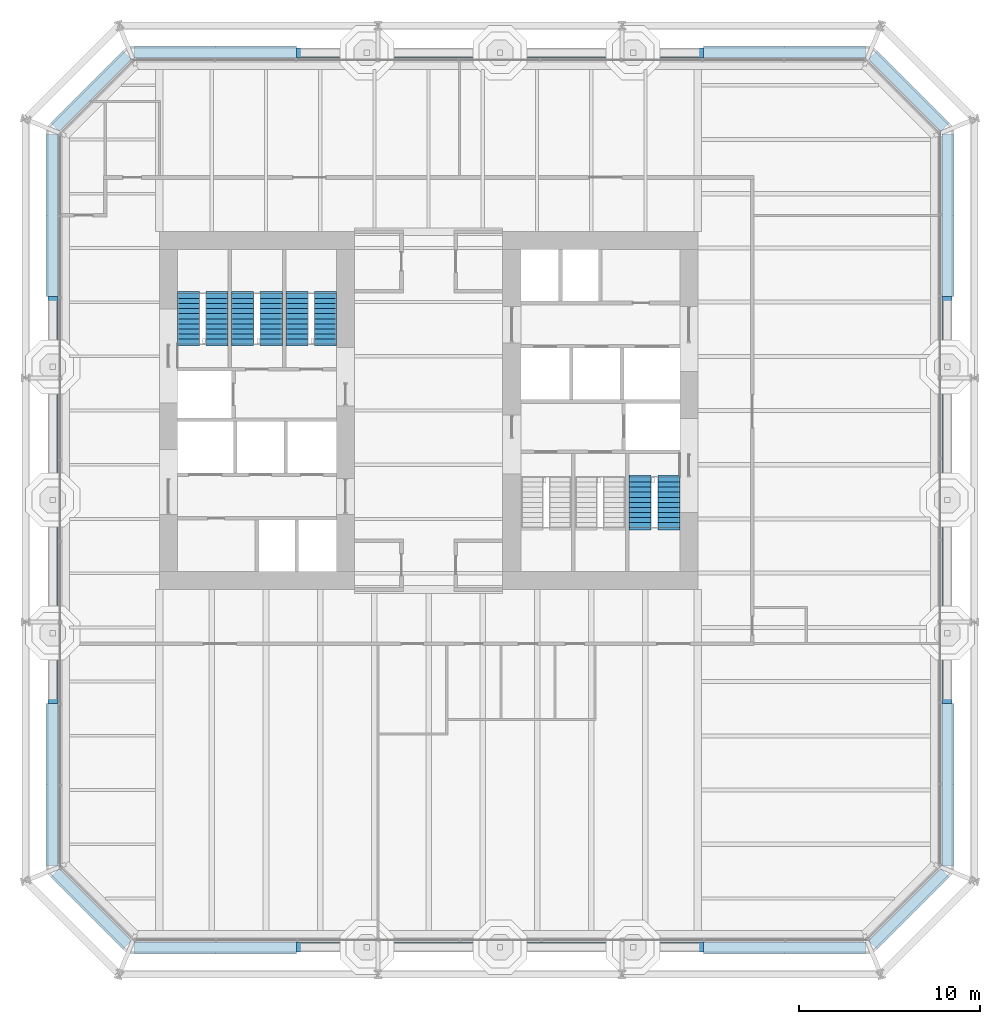
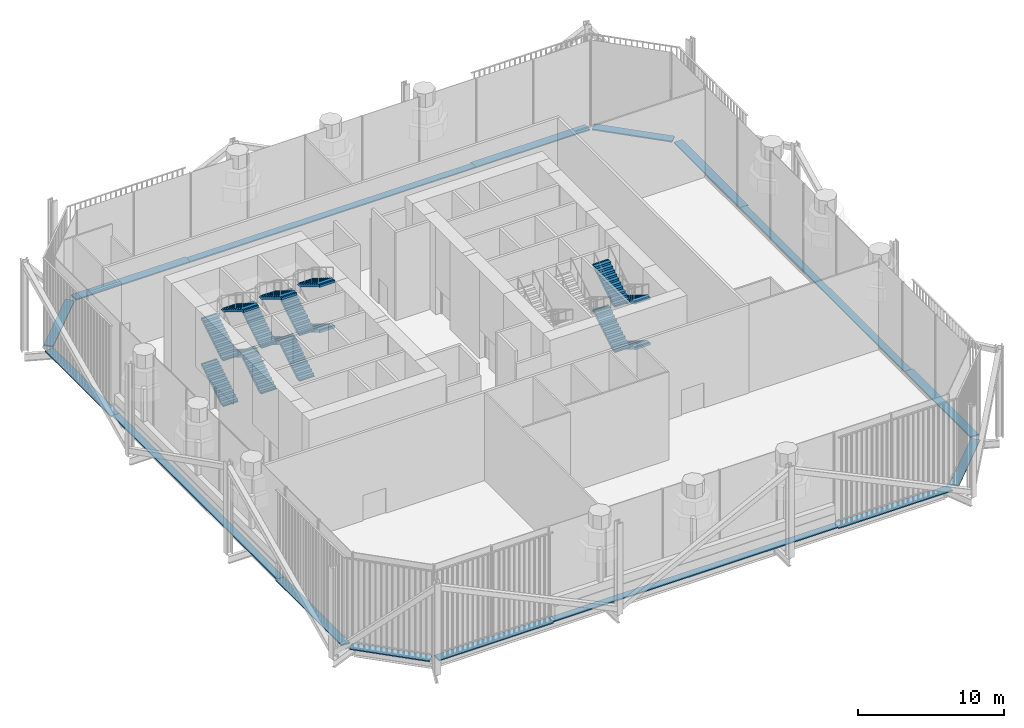
# One storey, part 15 of 18: 16 discrete accessories, 16 stair flights, 4 elements without a shape of their own.
"""IFC4 building model written with IfcOpenShell, lengths in metres."""

import ifcopenshell
import ifcopenshell.guid

model = None  # the IFC model being written
_history = None  # IfcOwnerHistory: only IFC2X3 demands one
_inside = {}  # id of a spatial element -> (the spatial element, [elements in it])
_under = {}  # id of a project, library or spatial element -> (it, [spatial elements below it])
_declared = {}  # id of a project -> (the project, [libraries it declares])
_typed = {}  # id of a type object -> (the type object, [elements of that type])
_made_of = {}  # id of a material, layer set ... -> (it, [elements and type objects made of it])


def new_model(schema):
    """Start an empty IFC model of exactly this schema.

    Asked for "IFC4X3", IfcOpenShell would pick the latest addendum, in which some entities
    have other attributes; the version numbers below select the first issue.
    IFC2X3 requires an IfcOwnerHistory on every rooted entity: one is made here for all.
    """
    global model, _history
    if schema == "IFC4X3":
        model = ifcopenshell.file(schema_version=(4, 3, 0, 0))
    else:
        model = ifcopenshell.file(schema=schema)
    _inside.clear()
    _under.clear()
    _declared.clear()
    _typed.clear()
    _made_of.clear()
    _history = None
    if model.schema == "IFC2X3":
        org = make("IfcOrganization", Name="unknown")
        user = make(
            "IfcPersonAndOrganization",
            ThePerson=make("IfcPerson", FamilyName="unknown"),
            TheOrganization=org,
        )
        app = make(
            "IfcApplication",
            ApplicationDeveloper=org,
            Version="unknown",
            ApplicationFullName="unknown",
            ApplicationIdentifier="unknown",
        )
        _history = make(
            "IfcOwnerHistory",
            OwningUser=user,
            OwningApplication=app,
            ChangeAction="ADDED",
            CreationDate=0,
        )
    return model


def make(cls, **values):
    """One entity of the class cls with the attributes given. An attribute that is None is left unset."""
    return model.create_entity(
        cls, **{name: value for name, value in values.items() if value is not None}
    )


def rooted(cls, **values):
    """An entity with a GlobalId (a new one), such as an element, a storey or a relation."""
    return make(cls, GlobalId=ifcopenshell.guid.new(), OwnerHistory=_history, **values)


def si_unit(unit_type, name, prefix=None):
    """IfcSIUnit, for example si_unit("LENGTHUNIT", "METRE", prefix="MILLI")."""
    return make("IfcSIUnit", UnitType=unit_type, Prefix=prefix, Name=name)


def assignment(units):
    """IfcUnitAssignment: the units of a project."""
    return None if units is None else make("IfcUnitAssignment", Units=units)


def point(xyz):
    """IfcCartesianPoint."""
    return None if xyz is None else make("IfcCartesianPoint", Coordinates=xyz)


def direction(xyz):
    """IfcDirection."""
    return None if xyz is None else make("IfcDirection", DirectionRatios=xyz)


def frame(location, z_axis=None, x_axis=None):
    """IfcAxis2Placement3D, a coordinate frame: its origin and axes. An axis left out is left unset."""
    return make(
        "IfcAxis2Placement3D",
        Location=point(location),
        Axis=direction(z_axis),
        RefDirection=direction(x_axis),
    )


def frame_2d(location, x_axis=None):
    """IfcAxis2Placement2D, a coordinate frame in the plane: its origin and x axis."""
    return make(
        "IfcAxis2Placement2D", Location=point(location), RefDirection=direction(x_axis)
    )


def origin():
    """The frame at (0, 0, 0) with its axes left unset."""
    return frame((0.0, 0.0, 0.0))


def origin_2d():
    """The frame at (0, 0) in the plane with its x axis left unset."""
    return frame_2d((0.0, 0.0))


def place(relative_to, where):
    """IfcLocalPlacement: puts the frame where relative to a parent placement (None: the world)."""
    return make(
        "IfcLocalPlacement", PlacementRelTo=relative_to, RelativePlacement=where
    )


def context(
    kind, dimensions, precision=None, world=None, true_north=None, identifier=None
):
    """IfcGeometricRepresentationContext, for example the 3D "Model" context."""
    return make(
        "IfcGeometricRepresentationContext",
        ContextIdentifier=identifier,
        ContextType=kind,
        CoordinateSpaceDimension=dimensions,
        Precision=precision,
        WorldCoordinateSystem=world,
        TrueNorth=true_north,
    )


def subcontext(parent, identifier, kind, view, scale=None):
    """IfcGeometricRepresentationSubContext, for example "Body" below "Model"."""
    return make(
        "IfcGeometricRepresentationSubContext",
        ContextIdentifier=identifier,
        ContextType=kind,
        ParentContext=parent,
        TargetScale=scale,
        TargetView=view,
    )


def project(units=None, contexts=None):
    """IfcProject with its units and contexts."""
    return rooted(
        "IfcProject",
        Name="project",
        RepresentationContexts=contexts,
        UnitsInContext=assignment(units),
    )


def spatial(cls, under=None, at=None, **own):
    """A site, building, storey or space (cls), placed at a placement, below another one or the project."""
    s = rooted(cls, ObjectPlacement=at, **own)
    if under is not None:
        _under.setdefault(under.id(), (under, []))[1].append(s)
    return s


def polyline(points):
    """IfcPolyline through the points."""
    return make("IfcPolyline", Points=[point(p) for p in points])


def profile(cls, at=None, kind="AREA", **sizes):
    """A parametric profile (cls). Its sizes go by their IFC names, for example OverallWidth=200.0."""
    return make(cls, ProfileType=kind, Position=at, **sizes)


def rectangle(**sizes):
    """IfcRectangleProfileDef."""
    return profile("IfcRectangleProfileDef", **sizes)


def outline(outer, holes=None, kind="AREA"):
    """IfcArbitraryClosedProfileDef: a profile drawn as a closed curve; with holes, ...WithVoids."""
    if holes is None:
        return make("IfcArbitraryClosedProfileDef", ProfileType=kind, OuterCurve=outer)
    return make(
        "IfcArbitraryProfileDefWithVoids",
        ProfileType=kind,
        OuterCurve=outer,
        InnerCurves=holes,
    )


def extrude(swept, where, along, depth):
    """IfcExtrudedAreaSolid: the profile swept, set in the frame where, extruded along a direction by depth."""
    return make(
        "IfcExtrudedAreaSolid",
        SweptArea=swept,
        Position=where,
        ExtrudedDirection=direction(along),
        Depth=depth,
    )


def shape(context_of_items, identifier, shape_type, items):
    """IfcShapeRepresentation: the items that make up one representation, for example the "Body"."""
    return make(
        "IfcShapeRepresentation",
        ContextOfItems=context_of_items,
        RepresentationIdentifier=identifier,
        RepresentationType=shape_type,
        Items=items,
    )


def material(Name=None, Category=None):
    """IfcMaterial."""
    return make("IfcMaterial", Name=Name, Category=Category)


def made_of(thing, what):
    """Note that an element or type object is made of a material, layer set ...; save() writes the relation."""
    if what is not None:
        _made_of.setdefault(what.id(), (what, []))[1].append(thing)
    return thing


def type_object(cls, material=None, **own):
    """A type object (cls), such as IfcWallType, which elements share."""
    return made_of(rooted(cls, **own), material)


def element(
    cls,
    number,
    at=None,
    inside=None,
    cuts=None,
    type_object=None,
    material=None,
    context=None,
    identifier="Body",
    shape_type=None,
    held_by="IfcProductDefinitionShape",
    body=None,
    shapes=None,
    **own,
):
    """One element of the class cls, such as IfcWall. Its Tag is "e" and its number.

    at: its placement. inside: the storey or other place that contains it. cuts: it is an
    opening in that element (IfcRelVoidsElement). A single representation is given by context,
    identifier, shape_type and body (its items); several are given by shapes. held_by: the class
    of the entity that holds the representations. save() writes the other relations.
    """
    e = rooted(cls, Tag="e%d" % number, ObjectPlacement=at, **own)
    if body is not None:
        shapes = [shape(context, identifier, shape_type, body)]
    if shapes is not None:
        e.Representation = make(held_by, Representations=shapes)
    if inside is not None:
        _inside.setdefault(inside.id(), (inside, []))[1].append(e)
    if cuts is not None:
        rooted(
            "IfcRelVoidsElement", RelatingBuildingElement=cuts, RelatedOpeningElement=e
        )
    if type_object is not None:
        _typed.setdefault(type_object.id(), (type_object, []))[1].append(e)
    return made_of(e, material)


def aggregate(whole, parts):
    """IfcRelAggregates: a whole, such as a stair, and the parts it consists of."""
    return rooted("IfcRelAggregates", RelatingObject=whole, RelatedObjects=parts)


def save(model, path):
    """Write the relations noted so far, then the file.

    IfcRelAggregates (storeys below a building ...), IfcRelContainedInSpatialStructure (elements
    in a storey), IfcRelDefinesByType, IfcRelAssociatesMaterial and IfcRelDeclares: one each for
    every whole, place, type object, material and project.
    """
    for whole, parts in _under.values():
        aggregate(whole, parts)
    for where, things in _inside.values():
        rooted(
            "IfcRelContainedInSpatialStructure",
            RelatedElements=things,
            RelatingStructure=where,
        )
    for kind, things in _typed.values():
        rooted("IfcRelDefinesByType", RelatedObjects=things, RelatingType=kind)
    for what, things in _made_of.values():
        rooted("IfcRelAssociatesMaterial", RelatedObjects=things, RelatingMaterial=what)
    for by, libraries in _declared.values():
        rooted("IfcRelDeclares", RelatingContext=by, RelatedDefinitions=libraries)
    model.write(path)


model = new_model("IFC4")

# Units and contexts
model_context = context("Model", 3, precision=1e-05, world=origin(), true_north=direction((0.0, 1.0)))
body_context = subcontext(model_context, "Body", "Model", "MODEL_VIEW")
ifc_project = project(units=[si_unit("LENGTHUNIT", "METRE"), si_unit("AREAUNIT", "SQUARE_METRE"), si_unit("VOLUMEUNIT", "CUBIC_METRE"), si_unit("PLANEANGLEUNIT", "RADIAN"), si_unit("MASSUNIT", "GRAM", prefix="KILO")], contexts=[model_context])

# Site, building, storey
site_placement = place(None, origin())
site = spatial("IfcSite", under=ifc_project, at=site_placement, CompositionType="ELEMENT")
building_placement = place(site_placement, origin())
building = spatial("IfcBuilding", under=site, at=building_placement, Name="Millrace Tower", CompositionType="ELEMENT")
storey_placement = place(building_placement, frame((0.0, 0.0, 112.800048828125)))
storey = spatial("IfcBuildingStorey", under=building, at=storey_placement, Name="L25", CompositionType="ELEMENT", Elevation=112.800048828125)

# Stair, stair flights
ifc_material_1 = material(Name="Concrete C35", Category="concrete")
stair_type = type_object("IfcStairType", Name="Exit stair", PredefinedType="HALF_TURN_STAIR", material=ifc_material_1)
placement = place(storey_placement, origin())
stair_1 = element("IfcStair", 1, at=placement, inside=storey, type_object=stair_type, Name="Stair 1 W L25", PredefinedType="HALF_TURN_STAIR")
ifc_material_2 = material(Name="Concrete C35", Category="concrete")
stair_flight_type = type_object("IfcStairFlightType", Name="Exit stair flight", PredefinedType="STRAIGHT", material=ifc_material_2)
stair_flight_1_placement = place(storey_placement, frame((-13.2900390625, 3.679931640625, 0.0), z_axis=(0.0, 0.0, 1.0), x_axis=(0.0, 1.0, 0.0)))
stair_flight_1 = element("IfcStairFlight", 2, at=stair_flight_1_placement, type_object=stair_flight_type, Name="ST12 flight 1", NumberOfRisers=11, NumberOfTreads=10, PredefinedType="STRAIGHT", RiserHeight=0.172727273, TreadLength=0.28, context=body_context, shape_type="SweptSolid", body=[
    extrude(outline(polyline([(-0.1201171875, -0.0400390625), (-0.1201171875, 0.0), (0.0, 0.0), (0.0, 0.172607421875), (0.280029296875, 0.172607421875), (0.280029296875, 0.345458984375), (0.56005859375, 0.345458984375), (0.56005859375, 0.51806640625), (0.840087890625, 0.51806640625), (0.840087890625, 0.69091796875), (1.1201171875, 0.69091796875), (1.1201171875, 0.863525390625), (1.39990234375, 0.863525390625), (1.39990234375, 1.036376953125), (1.679931640625, 1.036376953125), (1.679931640625, 1.208984375), (1.9599609375, 1.208984375), (1.9599609375, 1.3818359375), (2.239990234375, 1.3818359375), (2.239990234375, 1.554443359375), (2.52001953125, 1.554443359375), (2.52001953125, 1.727294921875), (2.800048828125, 1.727294921875), (2.800048828125, 1.747314453125), (2.919921875, 1.747314453125), (2.919921875, 1.551025390625), (2.800048828125, 1.551025390625), (0.285400390625, 0.0), (0.285400390625, -0.0400390625), (-0.1201171875, -0.0400390625)])), frame((0.0, 0.60986328125, 0.0), z_axis=(0.0, -1.0, 0.0), x_axis=(1.0, 0.0, 0.0)), (0.0, 0.0, 1.0), 1.219970703125),
])
stair_flight_2_placement = place(storey_placement, frame((-11.7099609375, 6.47998046875, 1.89990234375), z_axis=(0.0, 0.0, 1.0), x_axis=(0.0, -1.0, 0.0)))
stair_flight_2 = element("IfcStairFlight", 3, at=stair_flight_2_placement, type_object=stair_flight_type, Name="ST12 flight 2", NumberOfRisers=11, NumberOfTreads=10, PredefinedType="STRAIGHT", RiserHeight=0.172727273, TreadLength=0.28, context=body_context, shape_type="SweptSolid", body=[
    extrude(outline(polyline([(-0.1201171875, -0.0400390625), (-0.1201171875, 0.0), (0.0, 0.0), (0.0, 0.172607421875), (0.280029296875, 0.172607421875), (0.280029296875, 0.345458984375), (0.56005859375, 0.345458984375), (0.56005859375, 0.51806640625), (0.840087890625, 0.51806640625), (0.840087890625, 0.69091796875), (1.1201171875, 0.69091796875), (1.1201171875, 0.863525390625), (1.39990234375, 0.863525390625), (1.39990234375, 1.036376953125), (1.679931640625, 1.036376953125), (1.679931640625, 1.208984375), (1.9599609375, 1.208984375), (1.9599609375, 1.3818359375), (2.239990234375, 1.3818359375), (2.239990234375, 1.554443359375), (2.52001953125, 1.554443359375), (2.52001953125, 1.727294921875), (2.800048828125, 1.727294921875), (2.800048828125, 1.747314453125), (2.919921875, 1.747314453125), (2.919921875, 1.551025390625), (2.800048828125, 1.551025390625), (0.285400390625, 0.0), (0.285400390625, -0.0400390625), (-0.1201171875, -0.0400390625)])), frame((0.0, 0.60986328125, 0.0), z_axis=(0.0, -1.0, 0.0), x_axis=(1.0, 0.0, 0.0)), (0.0, 0.0, 1.0), 1.219970703125),
])
stair_flight_3_placement = place(storey_placement, frame((-13.2900390625, 3.679931640625, 3.800048828125), z_axis=(0.0, 0.0, 1.0), x_axis=(0.0, 1.0, 0.0)))
stair_flight_3 = element("IfcStairFlight", 4, at=stair_flight_3_placement, type_object=stair_flight_type, Name="ST12 flight 3", NumberOfRisers=11, NumberOfTreads=10, PredefinedType="STRAIGHT", RiserHeight=0.172727273, TreadLength=0.28, context=body_context, shape_type="SweptSolid", body=[
    extrude(outline(polyline([(-0.1201171875, -0.0400390625), (-0.1201171875, 0.0), (0.0, 0.0), (0.0, 0.172607421875), (0.280029296875, 0.172607421875), (0.280029296875, 0.345458984375), (0.56005859375, 0.345458984375), (0.56005859375, 0.51806640625), (0.840087890625, 0.51806640625), (0.840087890625, 0.69091796875), (1.1201171875, 0.69091796875), (1.1201171875, 0.863525390625), (1.39990234375, 0.863525390625), (1.39990234375, 1.036376953125), (1.679931640625, 1.036376953125), (1.679931640625, 1.208984375), (1.9599609375, 1.208984375), (1.9599609375, 1.3818359375), (2.239990234375, 1.3818359375), (2.239990234375, 1.554443359375), (2.52001953125, 1.554443359375), (2.52001953125, 1.727294921875), (2.800048828125, 1.727294921875), (2.800048828125, 1.747314453125), (2.919921875, 1.747314453125), (2.919921875, 1.551025390625), (2.800048828125, 1.551025390625), (0.285400390625, 0.0), (0.285400390625, -0.0400390625), (-0.1201171875, -0.0400390625)])), frame((0.0, 0.60986328125, 0.0), z_axis=(0.0, -1.0, 0.0), x_axis=(1.0, 0.0, 0.0)), (0.0, 0.0, 1.0), 1.219970703125),
])
stair_flight_4_placement = place(storey_placement, frame((-11.7099609375, 6.47998046875, 5.699951171875), z_axis=(0.0, 0.0, 1.0), x_axis=(0.0, -1.0, 0.0)))
stair_flight_4 = element("IfcStairFlight", 5, at=stair_flight_4_placement, type_object=stair_flight_type, Name="ST12 flight 4", NumberOfRisers=11, NumberOfTreads=10, PredefinedType="STRAIGHT", RiserHeight=0.172727273, TreadLength=0.28, context=body_context, shape_type="SweptSolid", body=[
    extrude(outline(polyline([(-0.1201171875, -0.0400390625), (-0.1201171875, 0.0), (0.0, 0.0), (0.0, 0.172607421875), (0.280029296875, 0.172607421875), (0.280029296875, 0.345458984375), (0.56005859375, 0.345458984375), (0.56005859375, 0.51806640625), (0.840087890625, 0.51806640625), (0.840087890625, 0.69091796875), (1.1201171875, 0.69091796875), (1.1201171875, 0.863525390625), (1.39990234375, 0.863525390625), (1.39990234375, 1.036376953125), (1.679931640625, 1.036376953125), (1.679931640625, 1.208984375), (1.9599609375, 1.208984375), (1.9599609375, 1.3818359375), (2.239990234375, 1.3818359375), (2.239990234375, 1.554443359375), (2.52001953125, 1.554443359375), (2.52001953125, 1.727294921875), (2.800048828125, 1.727294921875), (2.800048828125, 1.747314453125), (2.919921875, 1.747314453125), (2.919921875, 1.551025390625), (2.800048828125, 1.551025390625), (0.285400390625, 0.0), (0.285400390625, -0.0400390625), (-0.1201171875, -0.0400390625)])), frame((0.0, 0.60986328125, 0.0), z_axis=(0.0, -1.0, 0.0), x_axis=(1.0, 0.0, 0.0)), (0.0, 0.0, 1.0), 1.219970703125),
])
aggregate(stair_1, [stair_flight_1, stair_flight_2, stair_flight_3, stair_flight_4])

stair_2 = element("IfcStair", 6, at=placement, inside=storey, type_object=stair_type, Name="Stair 2 W L25", PredefinedType="HALF_TURN_STAIR")
stair_flight_5_placement = place(storey_placement, frame((-10.2900390625, 3.679931640625, 0.0), z_axis=(0.0, 0.0, 1.0), x_axis=(0.0, 1.0, 0.0)))
stair_flight_5 = element("IfcStairFlight", 7, at=stair_flight_5_placement, type_object=stair_flight_type, Name="ST12 flight 1", NumberOfRisers=11, NumberOfTreads=10, PredefinedType="STRAIGHT", RiserHeight=0.172727273, TreadLength=0.28, context=body_context, shape_type="SweptSolid", body=[
    extrude(outline(polyline([(-0.1201171875, -0.0400390625), (-0.1201171875, 0.0), (0.0, 0.0), (0.0, 0.172607421875), (0.280029296875, 0.172607421875), (0.280029296875, 0.345458984375), (0.56005859375, 0.345458984375), (0.56005859375, 0.51806640625), (0.840087890625, 0.51806640625), (0.840087890625, 0.69091796875), (1.1201171875, 0.69091796875), (1.1201171875, 0.863525390625), (1.39990234375, 0.863525390625), (1.39990234375, 1.036376953125), (1.679931640625, 1.036376953125), (1.679931640625, 1.208984375), (1.9599609375, 1.208984375), (1.9599609375, 1.3818359375), (2.239990234375, 1.3818359375), (2.239990234375, 1.554443359375), (2.52001953125, 1.554443359375), (2.52001953125, 1.727294921875), (2.800048828125, 1.727294921875), (2.800048828125, 1.747314453125), (2.919921875, 1.747314453125), (2.919921875, 1.551025390625), (2.800048828125, 1.551025390625), (0.285400390625, 0.0), (0.285400390625, -0.0400390625), (-0.1201171875, -0.0400390625)])), frame((0.0, 0.60986328125, 0.0), z_axis=(0.0, -1.0, 0.0), x_axis=(1.0, 0.0, 0.0)), (0.0, 0.0, 1.0), 1.219970703125),
])
stair_flight_6_placement = place(storey_placement, frame((-8.7099609375, 6.47998046875, 1.89990234375), z_axis=(0.0, 0.0, 1.0), x_axis=(0.0, -1.0, 0.0)))
stair_flight_6 = element("IfcStairFlight", 8, at=stair_flight_6_placement, type_object=stair_flight_type, Name="ST12 flight 2", NumberOfRisers=11, NumberOfTreads=10, PredefinedType="STRAIGHT", RiserHeight=0.172727273, TreadLength=0.28, context=body_context, shape_type="SweptSolid", body=[
    extrude(outline(polyline([(-0.1201171875, -0.0400390625), (-0.1201171875, 0.0), (0.0, 0.0), (0.0, 0.172607421875), (0.280029296875, 0.172607421875), (0.280029296875, 0.345458984375), (0.56005859375, 0.345458984375), (0.56005859375, 0.51806640625), (0.840087890625, 0.51806640625), (0.840087890625, 0.69091796875), (1.1201171875, 0.69091796875), (1.1201171875, 0.863525390625), (1.39990234375, 0.863525390625), (1.39990234375, 1.036376953125), (1.679931640625, 1.036376953125), (1.679931640625, 1.208984375), (1.9599609375, 1.208984375), (1.9599609375, 1.3818359375), (2.239990234375, 1.3818359375), (2.239990234375, 1.554443359375), (2.52001953125, 1.554443359375), (2.52001953125, 1.727294921875), (2.800048828125, 1.727294921875), (2.800048828125, 1.747314453125), (2.919921875, 1.747314453125), (2.919921875, 1.551025390625), (2.800048828125, 1.551025390625), (0.285400390625, 0.0), (0.285400390625, -0.0400390625), (-0.1201171875, -0.0400390625)])), frame((0.0, 0.60986328125, 0.0), z_axis=(0.0, -1.0, 0.0), x_axis=(1.0, 0.0, 0.0)), (0.0, 0.0, 1.0), 1.219970703125),
])
stair_flight_7_placement = place(storey_placement, frame((-10.2900390625, 3.679931640625, 3.800048828125), z_axis=(0.0, 0.0, 1.0), x_axis=(0.0, 1.0, 0.0)))
stair_flight_7 = element("IfcStairFlight", 9, at=stair_flight_7_placement, type_object=stair_flight_type, Name="ST12 flight 3", NumberOfRisers=11, NumberOfTreads=10, PredefinedType="STRAIGHT", RiserHeight=0.172727273, TreadLength=0.28, context=body_context, shape_type="SweptSolid", body=[
    extrude(outline(polyline([(-0.1201171875, -0.0400390625), (-0.1201171875, 0.0), (0.0, 0.0), (0.0, 0.172607421875), (0.280029296875, 0.172607421875), (0.280029296875, 0.345458984375), (0.56005859375, 0.345458984375), (0.56005859375, 0.51806640625), (0.840087890625, 0.51806640625), (0.840087890625, 0.69091796875), (1.1201171875, 0.69091796875), (1.1201171875, 0.863525390625), (1.39990234375, 0.863525390625), (1.39990234375, 1.036376953125), (1.679931640625, 1.036376953125), (1.679931640625, 1.208984375), (1.9599609375, 1.208984375), (1.9599609375, 1.3818359375), (2.239990234375, 1.3818359375), (2.239990234375, 1.554443359375), (2.52001953125, 1.554443359375), (2.52001953125, 1.727294921875), (2.800048828125, 1.727294921875), (2.800048828125, 1.747314453125), (2.919921875, 1.747314453125), (2.919921875, 1.551025390625), (2.800048828125, 1.551025390625), (0.285400390625, 0.0), (0.285400390625, -0.0400390625), (-0.1201171875, -0.0400390625)])), frame((0.0, 0.60986328125, 0.0), z_axis=(0.0, -1.0, 0.0), x_axis=(1.0, 0.0, 0.0)), (0.0, 0.0, 1.0), 1.219970703125),
])
stair_flight_8_placement = place(storey_placement, frame((-8.7099609375, 6.47998046875, 5.699951171875), z_axis=(0.0, 0.0, 1.0), x_axis=(0.0, -1.0, 0.0)))
stair_flight_8 = element("IfcStairFlight", 10, at=stair_flight_8_placement, type_object=stair_flight_type, Name="ST12 flight 4", NumberOfRisers=11, NumberOfTreads=10, PredefinedType="STRAIGHT", RiserHeight=0.172727273, TreadLength=0.28, context=body_context, shape_type="SweptSolid", body=[
    extrude(outline(polyline([(-0.1201171875, -0.0400390625), (-0.1201171875, 0.0), (0.0, 0.0), (0.0, 0.172607421875), (0.280029296875, 0.172607421875), (0.280029296875, 0.345458984375), (0.56005859375, 0.345458984375), (0.56005859375, 0.51806640625), (0.840087890625, 0.51806640625), (0.840087890625, 0.69091796875), (1.1201171875, 0.69091796875), (1.1201171875, 0.863525390625), (1.39990234375, 0.863525390625), (1.39990234375, 1.036376953125), (1.679931640625, 1.036376953125), (1.679931640625, 1.208984375), (1.9599609375, 1.208984375), (1.9599609375, 1.3818359375), (2.239990234375, 1.3818359375), (2.239990234375, 1.554443359375), (2.52001953125, 1.554443359375), (2.52001953125, 1.727294921875), (2.800048828125, 1.727294921875), (2.800048828125, 1.747314453125), (2.919921875, 1.747314453125), (2.919921875, 1.551025390625), (2.800048828125, 1.551025390625), (0.285400390625, 0.0), (0.285400390625, -0.0400390625), (-0.1201171875, -0.0400390625)])), frame((0.0, 0.60986328125, 0.0), z_axis=(0.0, -1.0, 0.0), x_axis=(1.0, 0.0, 0.0)), (0.0, 0.0, 1.0), 1.219970703125),
])
aggregate(stair_2, [stair_flight_5, stair_flight_6, stair_flight_7, stair_flight_8])

stair_3 = element("IfcStair", 11, at=placement, inside=storey, type_object=stair_type, Name="Stair 3 W L25", PredefinedType="HALF_TURN_STAIR")
stair_flight_9_placement = place(storey_placement, frame((-7.2900390625, 3.679931640625, 0.0), z_axis=(0.0, 0.0, 1.0), x_axis=(0.0, 1.0, 0.0)))
stair_flight_9 = element("IfcStairFlight", 12, at=stair_flight_9_placement, type_object=stair_flight_type, Name="ST12 flight 1", NumberOfRisers=11, NumberOfTreads=10, PredefinedType="STRAIGHT", RiserHeight=0.172727273, TreadLength=0.28, context=body_context, shape_type="SweptSolid", body=[
    extrude(outline(polyline([(-0.1201171875, -0.0400390625), (-0.1201171875, 0.0), (0.0, 0.0), (0.0, 0.172607421875), (0.280029296875, 0.172607421875), (0.280029296875, 0.345458984375), (0.56005859375, 0.345458984375), (0.56005859375, 0.51806640625), (0.840087890625, 0.51806640625), (0.840087890625, 0.69091796875), (1.1201171875, 0.69091796875), (1.1201171875, 0.863525390625), (1.39990234375, 0.863525390625), (1.39990234375, 1.036376953125), (1.679931640625, 1.036376953125), (1.679931640625, 1.208984375), (1.9599609375, 1.208984375), (1.9599609375, 1.3818359375), (2.239990234375, 1.3818359375), (2.239990234375, 1.554443359375), (2.52001953125, 1.554443359375), (2.52001953125, 1.727294921875), (2.800048828125, 1.727294921875), (2.800048828125, 1.747314453125), (2.919921875, 1.747314453125), (2.919921875, 1.551025390625), (2.800048828125, 1.551025390625), (0.285400390625, 0.0), (0.285400390625, -0.0400390625), (-0.1201171875, -0.0400390625)])), frame((0.0, 0.60986328125, 0.0), z_axis=(0.0, -1.0, 0.0), x_axis=(1.0, 0.0, 0.0)), (0.0, 0.0, 1.0), 1.219970703125),
])
stair_flight_10_placement = place(storey_placement, frame((-5.7099609375, 6.47998046875, 1.89990234375), z_axis=(0.0, 0.0, 1.0), x_axis=(0.0, -1.0, 0.0)))
stair_flight_10 = element("IfcStairFlight", 13, at=stair_flight_10_placement, type_object=stair_flight_type, Name="ST12 flight 2", NumberOfRisers=11, NumberOfTreads=10, PredefinedType="STRAIGHT", RiserHeight=0.172727273, TreadLength=0.28, context=body_context, shape_type="SweptSolid", body=[
    extrude(outline(polyline([(-0.1201171875, -0.0400390625), (-0.1201171875, 0.0), (0.0, 0.0), (0.0, 0.172607421875), (0.280029296875, 0.172607421875), (0.280029296875, 0.345458984375), (0.56005859375, 0.345458984375), (0.56005859375, 0.51806640625), (0.840087890625, 0.51806640625), (0.840087890625, 0.69091796875), (1.1201171875, 0.69091796875), (1.1201171875, 0.863525390625), (1.39990234375, 0.863525390625), (1.39990234375, 1.036376953125), (1.679931640625, 1.036376953125), (1.679931640625, 1.208984375), (1.9599609375, 1.208984375), (1.9599609375, 1.3818359375), (2.239990234375, 1.3818359375), (2.239990234375, 1.554443359375), (2.52001953125, 1.554443359375), (2.52001953125, 1.727294921875), (2.800048828125, 1.727294921875), (2.800048828125, 1.747314453125), (2.919921875, 1.747314453125), (2.919921875, 1.551025390625), (2.800048828125, 1.551025390625), (0.285400390625, 0.0), (0.285400390625, -0.0400390625), (-0.1201171875, -0.0400390625)])), frame((0.0, 0.60986328125, 0.0), z_axis=(0.0, -1.0, 0.0), x_axis=(1.0, 0.0, 0.0)), (0.0, 0.0, 1.0), 1.219970703125),
])
stair_flight_11_placement = place(storey_placement, frame((-7.2900390625, 3.679931640625, 3.800048828125), z_axis=(0.0, 0.0, 1.0), x_axis=(0.0, 1.0, 0.0)))
stair_flight_11 = element("IfcStairFlight", 14, at=stair_flight_11_placement, type_object=stair_flight_type, Name="ST12 flight 3", NumberOfRisers=11, NumberOfTreads=10, PredefinedType="STRAIGHT", RiserHeight=0.172727273, TreadLength=0.28, context=body_context, shape_type="SweptSolid", body=[
    extrude(outline(polyline([(-0.1201171875, -0.0400390625), (-0.1201171875, 0.0), (0.0, 0.0), (0.0, 0.172607421875), (0.280029296875, 0.172607421875), (0.280029296875, 0.345458984375), (0.56005859375, 0.345458984375), (0.56005859375, 0.51806640625), (0.840087890625, 0.51806640625), (0.840087890625, 0.69091796875), (1.1201171875, 0.69091796875), (1.1201171875, 0.863525390625), (1.39990234375, 0.863525390625), (1.39990234375, 1.036376953125), (1.679931640625, 1.036376953125), (1.679931640625, 1.208984375), (1.9599609375, 1.208984375), (1.9599609375, 1.3818359375), (2.239990234375, 1.3818359375), (2.239990234375, 1.554443359375), (2.52001953125, 1.554443359375), (2.52001953125, 1.727294921875), (2.800048828125, 1.727294921875), (2.800048828125, 1.747314453125), (2.919921875, 1.747314453125), (2.919921875, 1.551025390625), (2.800048828125, 1.551025390625), (0.285400390625, 0.0), (0.285400390625, -0.0400390625), (-0.1201171875, -0.0400390625)])), frame((0.0, 0.60986328125, 0.0), z_axis=(0.0, -1.0, 0.0), x_axis=(1.0, 0.0, 0.0)), (0.0, 0.0, 1.0), 1.219970703125),
])
stair_flight_12_placement = place(storey_placement, frame((-5.7099609375, 6.47998046875, 5.699951171875), z_axis=(0.0, 0.0, 1.0), x_axis=(0.0, -1.0, 0.0)))
stair_flight_12 = element("IfcStairFlight", 15, at=stair_flight_12_placement, type_object=stair_flight_type, Name="ST12 flight 4", NumberOfRisers=11, NumberOfTreads=10, PredefinedType="STRAIGHT", RiserHeight=0.172727273, TreadLength=0.28, context=body_context, shape_type="SweptSolid", body=[
    extrude(outline(polyline([(-0.1201171875, -0.0400390625), (-0.1201171875, 0.0), (0.0, 0.0), (0.0, 0.172607421875), (0.280029296875, 0.172607421875), (0.280029296875, 0.345458984375), (0.56005859375, 0.345458984375), (0.56005859375, 0.51806640625), (0.840087890625, 0.51806640625), (0.840087890625, 0.69091796875), (1.1201171875, 0.69091796875), (1.1201171875, 0.863525390625), (1.39990234375, 0.863525390625), (1.39990234375, 1.036376953125), (1.679931640625, 1.036376953125), (1.679931640625, 1.208984375), (1.9599609375, 1.208984375), (1.9599609375, 1.3818359375), (2.239990234375, 1.3818359375), (2.239990234375, 1.554443359375), (2.52001953125, 1.554443359375), (2.52001953125, 1.727294921875), (2.800048828125, 1.727294921875), (2.800048828125, 1.747314453125), (2.919921875, 1.747314453125), (2.919921875, 1.551025390625), (2.800048828125, 1.551025390625), (0.285400390625, 0.0), (0.285400390625, -0.0400390625), (-0.1201171875, -0.0400390625)])), frame((0.0, 0.60986328125, 0.0), z_axis=(0.0, -1.0, 0.0), x_axis=(1.0, 0.0, 0.0)), (0.0, 0.0, 1.0), 1.219970703125),
])
aggregate(stair_3, [stair_flight_9, stair_flight_10, stair_flight_11, stair_flight_12])

stair_4 = element("IfcStair", 16, at=placement, inside=storey, type_object=stair_type, Name="Stair 1 E L25", PredefinedType="HALF_TURN_STAIR")
stair_flight_13_placement = place(storey_placement, frame((13.2900390625, -3.679931640625, 0.0), z_axis=(0.0, 0.0, 1.0), x_axis=(0.0, -1.0, 0.0)))
stair_flight_13 = element("IfcStairFlight", 17, at=stair_flight_13_placement, type_object=stair_flight_type, Name="ST12 flight 1", NumberOfRisers=11, NumberOfTreads=10, PredefinedType="STRAIGHT", RiserHeight=0.172727273, TreadLength=0.28, context=body_context, shape_type="SweptSolid", body=[
    extrude(outline(polyline([(-0.1201171875, -0.0400390625), (-0.1201171875, 0.0), (0.0, 0.0), (0.0, 0.172607421875), (0.280029296875, 0.172607421875), (0.280029296875, 0.345458984375), (0.56005859375, 0.345458984375), (0.56005859375, 0.51806640625), (0.840087890625, 0.51806640625), (0.840087890625, 0.69091796875), (1.1201171875, 0.69091796875), (1.1201171875, 0.863525390625), (1.39990234375, 0.863525390625), (1.39990234375, 1.036376953125), (1.679931640625, 1.036376953125), (1.679931640625, 1.208984375), (1.9599609375, 1.208984375), (1.9599609375, 1.3818359375), (2.239990234375, 1.3818359375), (2.239990234375, 1.554443359375), (2.52001953125, 1.554443359375), (2.52001953125, 1.727294921875), (2.800048828125, 1.727294921875), (2.800048828125, 1.747314453125), (2.919921875, 1.747314453125), (2.919921875, 1.551025390625), (2.800048828125, 1.551025390625), (0.285400390625, 0.0), (0.285400390625, -0.0400390625), (-0.1201171875, -0.0400390625)])), frame((0.0, 0.60986328125, 0.0), z_axis=(0.0, -1.0, 0.0), x_axis=(1.0, 0.0, 0.0)), (0.0, 0.0, 1.0), 1.219970703125),
])
stair_flight_14_placement = place(storey_placement, frame((11.7099609375, -6.47998046875, 1.89990234375), z_axis=(0.0, 0.0, 1.0), x_axis=(0.0, 1.0, 0.0)))
stair_flight_14 = element("IfcStairFlight", 18, at=stair_flight_14_placement, type_object=stair_flight_type, Name="ST12 flight 2", NumberOfRisers=11, NumberOfTreads=10, PredefinedType="STRAIGHT", RiserHeight=0.172727273, TreadLength=0.28, context=body_context, shape_type="SweptSolid", body=[
    extrude(outline(polyline([(-0.1201171875, -0.0400390625), (-0.1201171875, 0.0), (0.0, 0.0), (0.0, 0.172607421875), (0.280029296875, 0.172607421875), (0.280029296875, 0.345458984375), (0.56005859375, 0.345458984375), (0.56005859375, 0.51806640625), (0.840087890625, 0.51806640625), (0.840087890625, 0.69091796875), (1.1201171875, 0.69091796875), (1.1201171875, 0.863525390625), (1.39990234375, 0.863525390625), (1.39990234375, 1.036376953125), (1.679931640625, 1.036376953125), (1.679931640625, 1.208984375), (1.9599609375, 1.208984375), (1.9599609375, 1.3818359375), (2.239990234375, 1.3818359375), (2.239990234375, 1.554443359375), (2.52001953125, 1.554443359375), (2.52001953125, 1.727294921875), (2.800048828125, 1.727294921875), (2.800048828125, 1.747314453125), (2.919921875, 1.747314453125), (2.919921875, 1.551025390625), (2.800048828125, 1.551025390625), (0.285400390625, 0.0), (0.285400390625, -0.0400390625), (-0.1201171875, -0.0400390625)])), frame((0.0, 0.60986328125, 0.0), z_axis=(0.0, -1.0, 0.0), x_axis=(1.0, 0.0, 0.0)), (0.0, 0.0, 1.0), 1.219970703125),
])
stair_flight_15_placement = place(storey_placement, frame((13.2900390625, -3.679931640625, 3.800048828125), z_axis=(0.0, 0.0, 1.0), x_axis=(0.0, -1.0, 0.0)))
stair_flight_15 = element("IfcStairFlight", 19, at=stair_flight_15_placement, type_object=stair_flight_type, Name="ST12 flight 3", NumberOfRisers=11, NumberOfTreads=10, PredefinedType="STRAIGHT", RiserHeight=0.172727273, TreadLength=0.28, context=body_context, shape_type="SweptSolid", body=[
    extrude(outline(polyline([(-0.1201171875, -0.0400390625), (-0.1201171875, 0.0), (0.0, 0.0), (0.0, 0.172607421875), (0.280029296875, 0.172607421875), (0.280029296875, 0.345458984375), (0.56005859375, 0.345458984375), (0.56005859375, 0.51806640625), (0.840087890625, 0.51806640625), (0.840087890625, 0.69091796875), (1.1201171875, 0.69091796875), (1.1201171875, 0.863525390625), (1.39990234375, 0.863525390625), (1.39990234375, 1.036376953125), (1.679931640625, 1.036376953125), (1.679931640625, 1.208984375), (1.9599609375, 1.208984375), (1.9599609375, 1.3818359375), (2.239990234375, 1.3818359375), (2.239990234375, 1.554443359375), (2.52001953125, 1.554443359375), (2.52001953125, 1.727294921875), (2.800048828125, 1.727294921875), (2.800048828125, 1.747314453125), (2.919921875, 1.747314453125), (2.919921875, 1.551025390625), (2.800048828125, 1.551025390625), (0.285400390625, 0.0), (0.285400390625, -0.0400390625), (-0.1201171875, -0.0400390625)])), frame((0.0, 0.60986328125, 0.0), z_axis=(0.0, -1.0, 0.0), x_axis=(1.0, 0.0, 0.0)), (0.0, 0.0, 1.0), 1.219970703125),
])
stair_flight_16_placement = place(storey_placement, frame((11.7099609375, -6.47998046875, 5.699951171875), z_axis=(0.0, 0.0, 1.0), x_axis=(0.0, 1.0, 0.0)))
stair_flight_16 = element("IfcStairFlight", 20, at=stair_flight_16_placement, type_object=stair_flight_type, Name="ST12 flight 4", NumberOfRisers=11, NumberOfTreads=10, PredefinedType="STRAIGHT", RiserHeight=0.172727273, TreadLength=0.28, context=body_context, shape_type="SweptSolid", body=[
    extrude(outline(polyline([(-0.1201171875, -0.0400390625), (-0.1201171875, 0.0), (0.0, 0.0), (0.0, 0.172607421875), (0.280029296875, 0.172607421875), (0.280029296875, 0.345458984375), (0.56005859375, 0.345458984375), (0.56005859375, 0.51806640625), (0.840087890625, 0.51806640625), (0.840087890625, 0.69091796875), (1.1201171875, 0.69091796875), (1.1201171875, 0.863525390625), (1.39990234375, 0.863525390625), (1.39990234375, 1.036376953125), (1.679931640625, 1.036376953125), (1.679931640625, 1.208984375), (1.9599609375, 1.208984375), (1.9599609375, 1.3818359375), (2.239990234375, 1.3818359375), (2.239990234375, 1.554443359375), (2.52001953125, 1.554443359375), (2.52001953125, 1.727294921875), (2.800048828125, 1.727294921875), (2.800048828125, 1.747314453125), (2.919921875, 1.747314453125), (2.919921875, 1.551025390625), (2.800048828125, 1.551025390625), (0.285400390625, 0.0), (0.285400390625, -0.0400390625), (-0.1201171875, -0.0400390625)])), frame((0.0, 0.60986328125, 0.0), z_axis=(0.0, -1.0, 0.0), x_axis=(1.0, 0.0, 0.0)), (0.0, 0.0, 1.0), 1.219970703125),
])
aggregate(stair_4, [stair_flight_13, stair_flight_14, stair_flight_15, stair_flight_16])

# Discrete accessories
ifc_material_3 = material(Name="Stainless steel ASTM A240 type 316", Category="steel")
discrete_accessory_type = type_object("IfcDiscreteAccessoryType", Name="Thermally broken screen support rail", PredefinedType="BRACKET", material=ifc_material_3)
discrete_accessory_1_placement = place(storey_placement, frame((-18.67822265625, -27.578369140625, 0.0), z_axis=(0.0, 0.0, 1.0), x_axis=(0.707106781187, -0.707106781187, 0.0)))
element("IfcDiscreteAccessory", 21, at=discrete_accessory_1_placement, inside=storey, type_object=discrete_accessory_type, Name="Thermally broken screen support rail B-F01 L25 1", PredefinedType="BRACKET", context=body_context, shape_type="SweptSolid", body=[
    extrude(rectangle(XDim=5.65673828125, YDim=0.669921875, at=origin_2d()), origin(), (0.0, 0.0, 1.0), 0.10009765625),
])
discrete_accessory_2_placement = place(storey_placement, frame((-11.800048828125, -29.735107421875, 0.0), z_axis=(0.0, 0.0, 1.0), x_axis=(1.0, 0.0, 0.0)))
element("IfcDiscreteAccessory", 22, at=discrete_accessory_2_placement, inside=storey, type_object=discrete_accessory_type, Name="Thermally broken screen support rail B-F02 L25 1", PredefinedType="BRACKET", context=body_context, shape_type="SweptSolid", body=[
    extrude(rectangle(XDim=9.0, YDim=0.669921875, at=origin_2d()), origin(), (0.0, 0.0, 1.0), 0.10009765625),
])
discrete_accessory_3_placement = place(storey_placement, frame((3.949951171875, -29.675048828125, 0.0), z_axis=(0.0, 0.0, 1.0), x_axis=(1.0, 0.0, 0.0)))
element("IfcDiscreteAccessory", 23, at=discrete_accessory_3_placement, inside=storey, type_object=discrete_accessory_type, Name="Thermally broken screen support rail B-F02 L25 2", PredefinedType="BRACKET", context=body_context, shape_type="SweptSolid", body=[
    extrude(rectangle(XDim=22.5, YDim=0.550048828125, at=origin_2d()), origin(), (0.0, 0.0, 1.0), 0.10009765625),
])
discrete_accessory_4_placement = place(storey_placement, frame((19.699951171875, -29.735107421875, 0.0), z_axis=(0.0, 0.0, 1.0), x_axis=(1.0, 0.0, 0.0)))
element("IfcDiscreteAccessory", 24, at=discrete_accessory_4_placement, inside=storey, type_object=discrete_accessory_type, Name="Thermally broken screen support rail B-F02 L25 3", PredefinedType="BRACKET", context=body_context, shape_type="SweptSolid", body=[
    extrude(rectangle(XDim=9.0, YDim=0.669921875, at=origin_2d()), origin(), (0.0, 0.0, 1.0), 0.10009765625),
])
discrete_accessory_5_placement = place(storey_placement, frame((26.578369140625, -27.578369140625, 0.0), z_axis=(0.0, 0.0, 1.0), x_axis=(0.707106781187, 0.707106781187, 0.0)))
element("IfcDiscreteAccessory", 25, at=discrete_accessory_5_placement, inside=storey, type_object=discrete_accessory_type, Name="Thermally broken screen support rail B-F03 L25 1", PredefinedType="BRACKET", context=body_context, shape_type="SweptSolid", body=[
    extrude(rectangle(XDim=5.65673828125, YDim=0.669921875, at=origin_2d()), origin(), (0.0, 0.0, 1.0), 0.10009765625),
])
discrete_accessory_6_placement = place(storey_placement, frame((28.735107421875, -20.699951171875, 0.0), z_axis=(0.0, 0.0, 1.0), x_axis=(0.0, 1.0, 0.0)))
element("IfcDiscreteAccessory", 26, at=discrete_accessory_6_placement, inside=storey, type_object=discrete_accessory_type, Name="Thermally broken screen support rail B-F04 L25 1", PredefinedType="BRACKET", context=body_context, shape_type="SweptSolid", body=[
    extrude(rectangle(XDim=9.0, YDim=0.669921875, at=origin_2d()), origin(), (0.0, 0.0, 1.0), 0.10009765625),
])
discrete_accessory_7_placement = place(storey_placement, frame((28.675048828125, -4.949951171875, 0.0), z_axis=(0.0, 0.0, 1.0), x_axis=(0.0, 1.0, 0.0)))
element("IfcDiscreteAccessory", 27, at=discrete_accessory_7_placement, inside=storey, type_object=discrete_accessory_type, Name="Thermally broken screen support rail B-F04 L25 2", PredefinedType="BRACKET", context=body_context, shape_type="SweptSolid", body=[
    extrude(rectangle(XDim=22.5, YDim=0.550048828125, at=origin_2d()), origin(), (0.0, 0.0, 1.0), 0.10009765625),
])
discrete_accessory_8_placement = place(storey_placement, frame((28.735107421875, 10.800048828125, 0.0), z_axis=(0.0, 0.0, 1.0), x_axis=(0.0, 1.0, 0.0)))
element("IfcDiscreteAccessory", 28, at=discrete_accessory_8_placement, inside=storey, type_object=discrete_accessory_type, Name="Thermally broken screen support rail B-F04 L25 3", PredefinedType="BRACKET", context=body_context, shape_type="SweptSolid", body=[
    extrude(rectangle(XDim=9.0, YDim=0.669921875, at=origin_2d()), origin(), (0.0, 0.0, 1.0), 0.10009765625),
])
discrete_accessory_9_placement = place(storey_placement, frame((26.578369140625, 17.67822265625, 0.0), z_axis=(0.0, 0.0, 1.0), x_axis=(-0.707106781187, 0.707106781187, 0.0)))
element("IfcDiscreteAccessory", 29, at=discrete_accessory_9_placement, inside=storey, type_object=discrete_accessory_type, Name="Thermally broken screen support rail B-F05 L25 1", PredefinedType="BRACKET", context=body_context, shape_type="SweptSolid", body=[
    extrude(rectangle(XDim=5.65673828125, YDim=0.669921875, at=origin_2d()), origin(), (0.0, 0.0, 1.0), 0.10009765625),
])
discrete_accessory_10_placement = place(storey_placement, frame((19.699951171875, 19.8349609375, 0.0), z_axis=(0.0, 0.0, 1.0), x_axis=(-1.0, 0.0, 0.0)))
element("IfcDiscreteAccessory", 30, at=discrete_accessory_10_placement, inside=storey, type_object=discrete_accessory_type, Name="Thermally broken screen support rail B-F06 L25 1", PredefinedType="BRACKET", context=body_context, shape_type="SweptSolid", body=[
    extrude(rectangle(XDim=9.0, YDim=0.669921875, at=origin_2d()), origin(), (0.0, 0.0, 1.0), 0.10009765625),
])
discrete_accessory_11_placement = place(storey_placement, frame((3.949951171875, 19.77490234375, 0.0), z_axis=(0.0, 0.0, 1.0), x_axis=(-1.0, 0.0, 0.0)))
element("IfcDiscreteAccessory", 31, at=discrete_accessory_11_placement, inside=storey, type_object=discrete_accessory_type, Name="Thermally broken screen support rail B-F06 L25 2", PredefinedType="BRACKET", context=body_context, shape_type="SweptSolid", body=[
    extrude(rectangle(XDim=22.5, YDim=0.550048828125, at=origin_2d()), origin(), (0.0, 0.0, 1.0), 0.10009765625),
])
discrete_accessory_12_placement = place(storey_placement, frame((-11.800048828125, 19.8349609375, 0.0), z_axis=(0.0, 0.0, 1.0), x_axis=(-1.0, 0.0, 0.0)))
element("IfcDiscreteAccessory", 32, at=discrete_accessory_12_placement, inside=storey, type_object=discrete_accessory_type, Name="Thermally broken screen support rail B-F06 L25 3", PredefinedType="BRACKET", context=body_context, shape_type="SweptSolid", body=[
    extrude(rectangle(XDim=9.0, YDim=0.669921875, at=origin_2d()), origin(), (0.0, 0.0, 1.0), 0.10009765625),
])
discrete_accessory_13_placement = place(storey_placement, frame((-18.67822265625, 17.67822265625, 0.0), z_axis=(0.0, 0.0, 1.0), x_axis=(-0.707106781187, -0.707106781187, 0.0)))
element("IfcDiscreteAccessory", 33, at=discrete_accessory_13_placement, inside=storey, type_object=discrete_accessory_type, Name="Thermally broken screen support rail B-F07 L25 1", PredefinedType="BRACKET", context=body_context, shape_type="SweptSolid", body=[
    extrude(rectangle(XDim=5.65673828125, YDim=0.669921875, at=origin_2d()), origin(), (0.0, 0.0, 1.0), 0.10009765625),
])
discrete_accessory_14_placement = place(storey_placement, frame((-20.8349609375, 10.800048828125, 0.0), z_axis=(0.0, 0.0, 1.0), x_axis=(0.0, -1.0, 0.0)))
element("IfcDiscreteAccessory", 34, at=discrete_accessory_14_placement, inside=storey, type_object=discrete_accessory_type, Name="Thermally broken screen support rail B-F08 L25 1", PredefinedType="BRACKET", context=body_context, shape_type="SweptSolid", body=[
    extrude(rectangle(XDim=9.0, YDim=0.669921875, at=origin_2d()), origin(), (0.0, 0.0, 1.0), 0.10009765625),
])
discrete_accessory_15_placement = place(storey_placement, frame((-20.77490234375, -4.949951171875, 0.0), z_axis=(0.0, 0.0, 1.0), x_axis=(0.0, -1.0, 0.0)))
element("IfcDiscreteAccessory", 35, at=discrete_accessory_15_placement, inside=storey, type_object=discrete_accessory_type, Name="Thermally broken screen support rail B-F08 L25 2", PredefinedType="BRACKET", context=body_context, shape_type="SweptSolid", body=[
    extrude(rectangle(XDim=22.5, YDim=0.550048828125, at=origin_2d()), origin(), (0.0, 0.0, 1.0), 0.10009765625),
])
discrete_accessory_16_placement = place(storey_placement, frame((-20.8349609375, -20.699951171875, 0.0), z_axis=(0.0, 0.0, 1.0), x_axis=(0.0, -1.0, 0.0)))
element("IfcDiscreteAccessory", 36, at=discrete_accessory_16_placement, inside=storey, type_object=discrete_accessory_type, Name="Thermally broken screen support rail B-F08 L25 3", PredefinedType="BRACKET", context=body_context, shape_type="SweptSolid", body=[
    extrude(rectangle(XDim=9.0, YDim=0.669921875, at=origin_2d()), origin(), (0.0, 0.0, 1.0), 0.10009765625),
])

save(model, "model.ifc")
